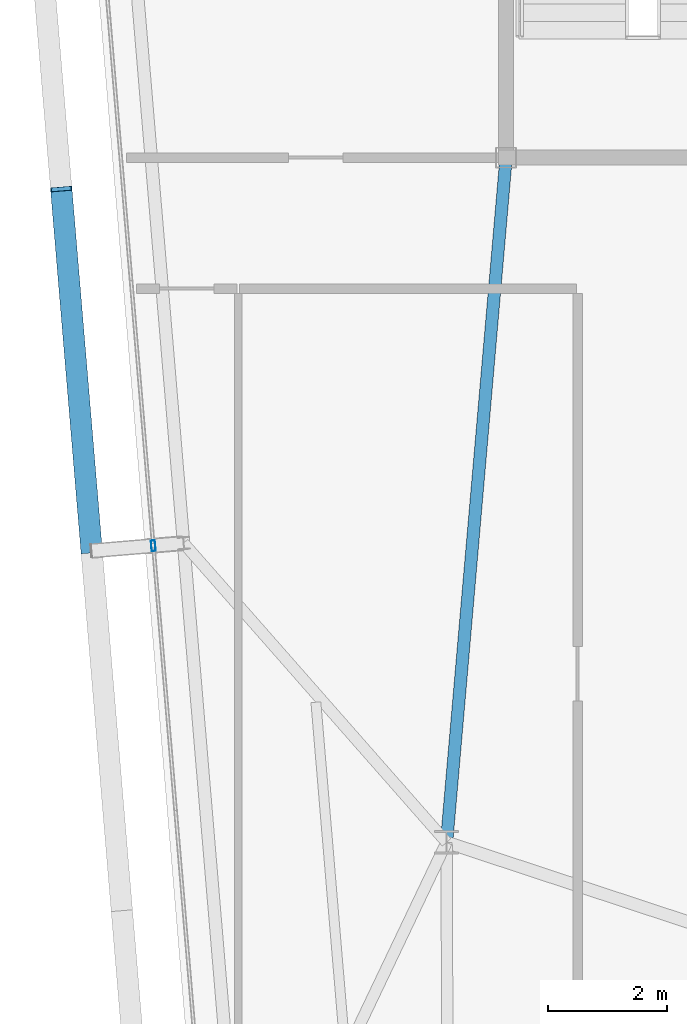
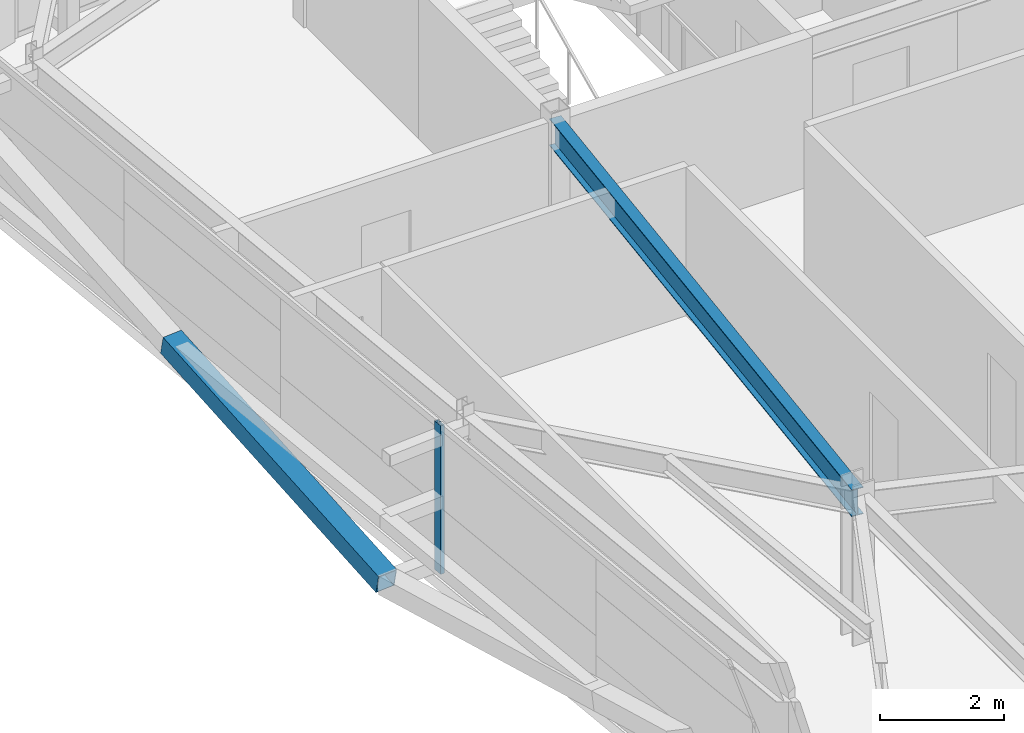
# One storey, part 12 of 39: 2 members, 1 beam, 1 element without a shape of its own.
"""IFC4 building model written with IfcOpenShell, lengths in metres."""

from ifc_helpers import new_model, si_unit, direction, frame, origin, origin_2d, place, context, subcontext, project, spatial, hollow_rectangle, i_section, extrude, source, transform, mapped, material, layer, layer_set, material_profile, profile_set, type_object, element, aggregate, save


model = new_model("IFC4")

# Units and contexts
model_context = context("Model", 3, precision=1e-05, world=origin(), true_north=direction((0.0, 1.0)))
body_context = subcontext(model_context, "Body", "Model", "MODEL_VIEW")
ifc_project = project(units=[si_unit("LENGTHUNIT", "METRE"), si_unit("AREAUNIT", "SQUARE_METRE"), si_unit("VOLUMEUNIT", "CUBIC_METRE"), si_unit("PLANEANGLEUNIT", "RADIAN"), si_unit("MASSUNIT", "GRAM", prefix="KILO")], contexts=[model_context])

# Site, building, storey
site_placement = place(None, origin())
site = spatial("IfcSite", under=ifc_project, at=site_placement, CompositionType="ELEMENT")
building_placement = place(site_placement, origin())
building = spatial("IfcBuilding", under=site, at=building_placement, Name="Taldren Reach Tower", CompositionType="ELEMENT")
storey_placement = place(building_placement, frame((0.0, 0.0, 175.699951171875)))
storey = spatial("IfcBuildingStorey", under=building, at=storey_placement, Name="L53", CompositionType="ELEMENT", Elevation=175.699951171875)

# Beam
ifc_material_1 = material(Name="Steel Gr 350 (350PLUS)", Category="steel")
ifc_material_profile_1 = material_profile(ifc_material_1, i_section(OverallWidth=0.208984375, OverallDepth=0.532958984375, WebThickness=0.01025390625, FlangeThickness=0.015625, at=origin_2d()), Name="530UB92.4")
ifc_profile_set_1 = profile_set([ifc_material_profile_1], Name="Steel Gr 350 (350PLUS)")
beam_type = type_object("IfcBeamType", Name="BM-UB530A", PredefinedType="BEAM", material=ifc_profile_set_1)
shared_shape_1 = source(origin(), body_context, "Body", "SweptSolid", [
    extrude(i_section(OverallWidth=0.208984375, OverallDepth=0.532958984375, WebThickness=0.01025390625, FlangeThickness=0.015625, at=origin_2d()), origin(), (0.0, 0.0, 1.0), 11.54345703125),
])
beam_placement = place(storey_placement, frame((19.0, 24.0, 2.66357421875), z_axis=(-0.086629616365, -0.996240588196, 0.0), x_axis=(0.996240588196, -0.086629616365, 0.0)))
element("IfcBeam", 1, at=beam_placement, inside=storey, type_object=beam_type, Name="Core-spine girder L53-SP09", PredefinedType="BEAM", context=body_context, shape_type="MappedRepresentation", body=[
    mapped(shared_shape_1, transform((0.0, 0.0, 0.0), scale=1.0)),
])

# Member
ifc_material_2 = material(Name="Steel Gr 450 (C450L0)", Category="steel")
ifc_material_profile_2 = material_profile(ifc_material_2, hollow_rectangle(XDim=0.360107421875, YDim=0.360107421875, WallThickness=0.0126953125, at=origin_2d()), Name="360x360x12.7SHS")
ifc_profile_set_2 = profile_set([ifc_material_profile_2], Name="Steel Gr 450 (C450L0)")
member_type_1 = type_object("IfcMemberType", Name="MB-EXO356", PredefinedType="BRACE", material=ifc_profile_set_2)
shared_shape_2 = source(origin(), body_context, "Body", "SweptSolid", [
    extrude(hollow_rectangle(XDim=0.360107421875, YDim=0.360107421875, WallThickness=0.0126953125, at=origin_2d()), origin(), (0.0, 0.0, 1.0), 6.2197265625),
])
member_1_placement = place(storey_placement, frame((12.0380859375, 17.3955078125, 0.219970703125), z_axis=(-0.082036577282, 0.977295072332, 0.195356959394), x_axis=(-0.996495340012, -0.08364829547, 0.0)))
element("IfcMember", 2, at=member_1_placement, inside=storey, type_object=member_type_1, Name="Exoskeleton Diagrid Brace B4-W2 L53", PredefinedType="BRACE", context=body_context, shape_type="MappedRepresentation", body=[
    mapped(shared_shape_2, transform((0.0, 0.0, 0.0), scale=1.0)),
])

# Curtain wall, member
ifc_material_3 = material(Name="Aluminium and Low-E Glass Unitised System", Category="aluminium")
ifc_layer = layer(ifc_material_3, 0.159912109375)
ifc_layer_set = layer_set([ifc_layer], Name="Aluminium and Low-E Glass Unitised System")
curtain_wall_type = type_object("IfcCurtainWallType", Name="CW-SYS-5", PredefinedType="NOTDEFINED", material=ifc_layer_set)
curtain_wall_placement = place(storey_placement, origin())
curtain_wall = element("IfcCurtainWall", 3, at=curtain_wall_placement, inside=storey, type_object=curtain_wall_type, Name="Unitised curtain wall CW-L53-W", PredefinedType="NOTDEFINED")
ifc_material_4 = material(Name="Anodised Aluminium 6063-T6", Category="aluminium")
ifc_material_profile_3 = material_profile(ifc_material_4, hollow_rectangle(XDim=0.070068359375, YDim=0.179931640625, WallThickness=0.00390625, at=origin_2d()), Name="ALU-180x70x4RHS")
ifc_profile_set_3 = profile_set([ifc_material_profile_3], Name="Anodised Aluminium 6063-T6")
member_type_2 = type_object("IfcMemberType", Name="CW-MUL-180", PredefinedType="MULLION", material=ifc_profile_set_3)
shared_shape_3 = source(origin(), body_context, "Body", "SweptSolid", [
    extrude(hollow_rectangle(XDim=0.070068359375, YDim=0.179931640625, WallThickness=0.00390625, at=origin_2d()), origin(), (0.0, 0.0, 1.0), 2.929931640625),
])
member_2_placement = place(storey_placement, frame((13.074462890625, 17.482421875, 0.0), z_axis=(0.0, 0.0, 1.0), x_axis=(0.996492847789, 0.083677979808, 0.0)))
member_2 = element("IfcMember", 4, at=member_2_placement, type_object=member_type_2, Name="CW-5 mullion 2", PredefinedType="MULLION", context=body_context, shape_type="MappedRepresentation", body=[
    mapped(shared_shape_3, transform((0.0, 0.0, 0.0), scale=1.0)),
])
aggregate(curtain_wall, [member_2])

save(model, "model.ifc")
